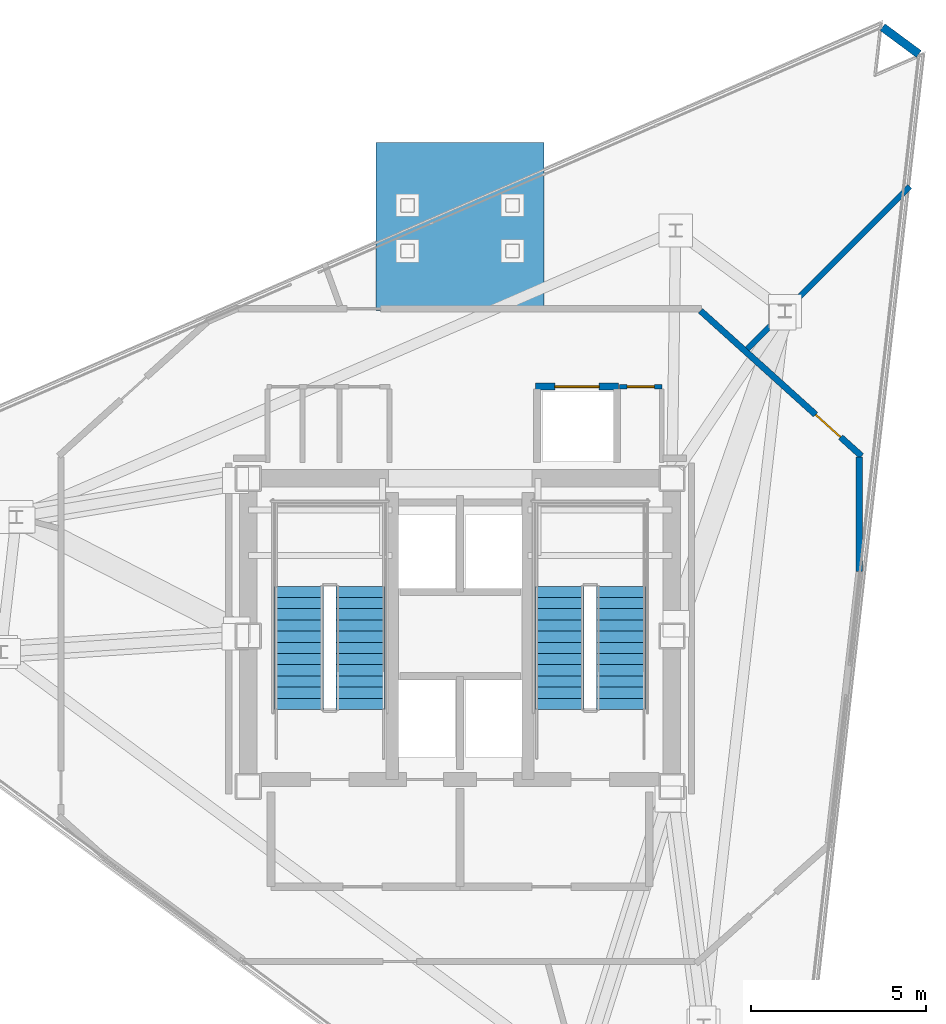
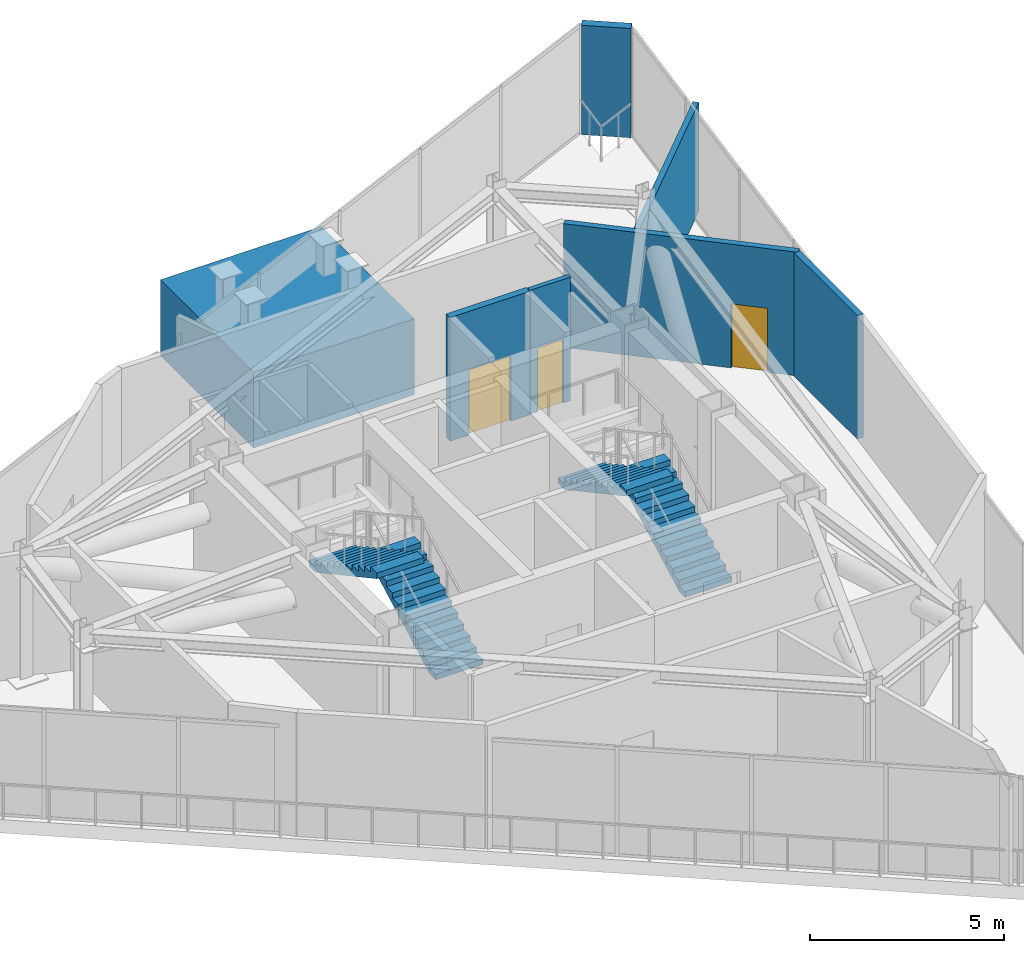
# One storey, part 9 of 11: 6 walls, 4 stair flights, 3 doors, 1 discrete accessory, 3 openings, 2 elements without a shape of their own.
"""IFC4 building model written with IfcOpenShell, lengths in metres."""

from ifc_helpers import new_model, si_unit, direction, frame, frame_2d, origin, origin_2d, place, context, subcontext, project, spatial, polyline, rectangle, outline, extrude, material, layer, layer_set, type_object, element, fill, aggregate, save


model = new_model("IFC4")

# Units and contexts
model_context = context("Model", 3, precision=1e-05, world=origin(), true_north=direction((0.0, 1.0)))
body_context = subcontext(model_context, "Body", "Model", "MODEL_VIEW")
ifc_project = project(units=[si_unit("LENGTHUNIT", "METRE"), si_unit("AREAUNIT", "SQUARE_METRE"), si_unit("VOLUMEUNIT", "CUBIC_METRE"), si_unit("PLANEANGLEUNIT", "RADIAN"), si_unit("MASSUNIT", "GRAM", prefix="KILO")], contexts=[model_context])

# Site, building, storey
site_placement = place(None, origin())
site = spatial("IfcSite", under=ifc_project, at=site_placement, CompositionType="ELEMENT")
building_placement = place(site_placement, origin())
building = spatial("IfcBuilding", under=site, at=building_placement, Name="Rocaltana Carrier Exchange", CompositionType="ELEMENT")
storey_placement = place(building_placement, frame((0.0, 0.0, 239.199951171875)))
storey = spatial("IfcBuildingStorey", under=building, at=storey_placement, Name="L76", CompositionType="ELEMENT", Elevation=239.199951171875)

# Wall
ifc_material_1 = material(Name="Double Acoustic Gypsum Partition", Category="gypsum")
ifc_layer_1 = layer(ifc_material_1, 0.159912109375)
ifc_layer_set_1 = layer_set([ifc_layer_1], Name="Double Acoustic Gypsum Partition")
wall_type_1 = type_object("IfcWallType", Name="Acoustic Studio Partition 160 EI60", PredefinedType="PARTITIONING", material=ifc_layer_set_1)
wall_1_placement = place(storey_placement, frame((8.197265625, 8.197265625, 0.0), z_axis=(0.0, 0.0, 1.0), x_axis=(0.707106781187, 0.707106781187, 0.0)))
element("IfcWall", 1, at=wall_1_placement, inside=storey, type_object=wall_type_1, Name="L76 Suite Divider Wall D2", PredefinedType="PARTITIONING", context=body_context, shape_type="SweptSolid", body=[
    extrude(rectangle(XDim=6.569091796875, YDim=0.159912109375, at=frame_2d((3.28466796875, 0.0))), origin(), (0.0, 0.0, 1.0), 3.43310546875),
])

# Wall, opening, door
ifc_material_2 = material(Name="Gypsum & Steel Stud Partition", Category="steel")
ifc_layer_2 = layer(ifc_material_2, 0.179931640625)
ifc_layer_set_2 = layer_set([ifc_layer_2], Name="Gypsum & Steel Stud Partition")
wall_type_2 = type_object("IfcWallType", Name="Corridor Fire Partition 180 EI60", PredefinedType="PARTITIONING", material=ifc_layer_set_2)
wall_2_placement = place(storey_placement, frame((6.86669921875, 9.289794921875, 0.0), z_axis=(0.0, 0.0, 1.0), x_axis=(0.742486327971, -0.669861219042, 0.0)))
wall_2 = element("IfcWall", 2, at=wall_2_placement, inside=storey, type_object=wall_type_2, Name="L76 Corridor Partition 3", PredefinedType="PARTITIONING", context=body_context, shape_type="SweptSolid", body=[
    extrude(rectangle(XDim=6.195556640625, YDim=0.179931640625, at=frame_2d((3.09765625, 0.0))), origin(), (0.0, 0.0, 1.0), 3.903076171875),
])
opening_1_placement = place(wall_2_placement, frame((4.429443359375, 0.0, 0.0)))
opening_1 = element("IfcOpeningElement", 3, at=opening_1_placement, cuts=wall_2, Name="Opening D-RM098", PredefinedType="OPENING", context=body_context, shape_type="SweptSolid", body=[
    extrude(rectangle(XDim=0.9599609375, YDim=2.02001953125, at=frame_2d((0.47998046875, 1.010009765625))), frame((0.0, 0.099853515625, 0.0), z_axis=(0.0, -1.0, 0.0), x_axis=(1.0, 0.0, 0.0)), (0.0, 0.0, 1.0), 0.199951171875),
])
ifc_material_3 = material(Name="Engineered Hardwood Timber", Category="wood")
door_type_1 = type_object("IfcDoorType", Name="Workspace Single Door 960x2020", OperationType="NOTDEFINED", PredefinedType="DOOR", material=ifc_material_3)
door_1_placement = place(opening_1_placement, origin())
door_1 = element("IfcDoor", 4, at=door_1_placement, inside=storey, type_object=door_type_1, Name="L76 Crown Electrical Substation Room Entrance Door", OperationType="SINGLE_SWING_LEFT", OverallHeight=2.02001953125, OverallWidth=0.9599609375, PredefinedType="DOOR", context=body_context, shape_type="SweptSolid", body=[
    extrude(rectangle(XDim=0.9599609375, YDim=2.02001953125, at=frame_2d((0.47998046875, 1.010009765625))), frame((0.0, 0.02490234375, 0.0), z_axis=(0.0, -1.0, 0.0), x_axis=(1.0, 0.0, 0.0)), (0.0, 0.0, 1.0), 0.050048828125),
])
fill(opening_1, door_1)

# Wall
wall_3_placement = place(storey_placement, frame((11.39990234375, 5.110107421875, 0.0), z_axis=(0.0, 0.0, 1.0), x_axis=(0.0, -1.0, 0.0)))
element("IfcWall", 5, at=wall_3_placement, inside=storey, type_object=wall_type_2, Name="L76 Corridor Partition 4", PredefinedType="PARTITIONING", context=body_context, shape_type="SweptSolid", body=[
    extrude(rectangle(XDim=3.26904296875, YDim=0.179931640625, at=frame_2d((1.634521484375, 0.0))), origin(), (0.0, 0.0, 1.0), 3.903076171875),
])

# Wall, opening, door
ifc_material_4 = material(Name="Reinforced Concrete Block C35/45", Category="concrete")
ifc_layer_3 = layer(ifc_material_4, 0.199951171875)
ifc_layer_set_3 = layer_set([ifc_layer_3], Name="Reinforced Concrete Block C35/45")
wall_type_3 = type_object("IfcWallType", Name="Lift Hoistway Enclosure Wall 200 EI120", PredefinedType="PARTITIONING", material=ifc_layer_set_3)
wall_4_placement = place(storey_placement, frame((2.14990234375, 7.1201171875, 0.0), z_axis=(0.0, 0.0, 1.0), x_axis=(1.0, 0.0, 0.0)))
wall_4 = element("IfcWall", 6, at=wall_4_placement, inside=storey, type_object=wall_type_3, Name="L76 Goods Lift Front Wall", PredefinedType="PARTITIONING", context=body_context, shape_type="SweptSolid", body=[
    extrude(rectangle(XDim=2.380126953125, YDim=0.199951171875, at=frame_2d((1.18994140625, 0.0))), origin(), (0.0, 0.0, 1.0), 3.903076171875),
])
opening_2_placement = place(wall_4_placement, frame((0.56005859375, 0.0, 0.0)))
opening_2 = element("IfcOpeningElement", 7, at=opening_2_placement, cuts=wall_4, Name="Opening LD-130", PredefinedType="OPENING", context=body_context, shape_type="SweptSolid", body=[
    extrude(rectangle(XDim=1.260009765625, YDim=2.06005859375, at=frame_2d((0.6298828125, 1.030029296875))), frame((0.0, 0.10986328125, 0.0), z_axis=(0.0, -1.0, 0.0), x_axis=(1.0, 0.0, 0.0)), (0.0, 0.0, 1.0), 0.219970703125),
])
ifc_material_5 = material(Name="Brushed Stainless Sliding Door Leaf", Category="steel")
door_type_2 = type_object("IfcDoorType", Name="Goods Lift Landing Sliding Door 1260x2060", OperationType="NOTDEFINED", PredefinedType="DOOR", material=ifc_material_5)
door_2_placement = place(opening_2_placement, origin())
door_2 = element("IfcDoor", 8, at=door_2_placement, inside=storey, type_object=door_type_2, Name="L76 Goods Lift GL-1 Landing Door", OperationType="SLIDING_TO_LEFT", OverallHeight=2.06005859375, OverallWidth=1.260009765625, PredefinedType="DOOR", context=body_context, shape_type="SweptSolid", body=[
    extrude(rectangle(XDim=1.260009765625, YDim=2.06005859375, at=frame_2d((0.6298828125, 1.030029296875))), frame((0.0, 0.02490234375, 0.0), z_axis=(0.0, -1.0, 0.0), x_axis=(1.0, 0.0, 0.0)), (0.0, 0.0, 1.0), 0.050048828125),
])
fill(opening_2, door_2)

# Wall
ifc_material_6 = material(Name="Precast sandstone concrete C40/50", Category="masonry")
ifc_layer_4 = layer(ifc_material_6, 0.239990234375)
ifc_layer_set_4 = layer_set([ifc_layer_4], Name="Precast sandstone concrete C40/50")
wall_type_4 = type_object("IfcWallType", Name="Terrace Stone Parapet Wall 240", PredefinedType="PARAPET", material=ifc_layer_set_4)
wall_5_placement = place(storey_placement, frame((13.10205078125, 16.623779296875, 0.0), z_axis=(0.0, 0.0, 1.0), x_axis=(-0.803872713746, 0.59480136188, 0.0)))
element("IfcWall", 9, at=wall_5_placement, inside=storey, type_object=wall_type_4, Name="L76 Crown Corner Mullion Wall C1", PredefinedType="PARAPET", context=body_context, shape_type="SweptSolid", body=[
    extrude(rectangle(XDim=1.2880859375, YDim=0.239990234375, at=frame_2d((0.64404296875, 0.0))), origin(), (0.0, 0.0, 1.0), 3.447998046875),
])

# Wall, opening, door
ifc_material_7 = material(Name="Moisture-Resistant Masonry C30/37", Category="masonry")
ifc_layer_5 = layer(ifc_material_7, 0.139892578125)
ifc_layer_set_5 = layer_set([ifc_layer_5], Name="Moisture-Resistant Masonry C30/37")
wall_type_5 = type_object("IfcWallType", Name="Wet-Area Sanitary Partition 140", PredefinedType="PARTITIONING", material=ifc_layer_set_5)
wall_6_placement = place(storey_placement, frame((4.56005859375, 7.1201171875, 0.0), z_axis=(0.0, 0.0, 1.0), x_axis=(1.0, 0.0, 0.0)))
wall_6 = element("IfcWall", 10, at=wall_6_placement, inside=storey, type_object=wall_type_5, Name="L76 Riser North Wall", PredefinedType="PARTITIONING", context=body_context, shape_type="SweptSolid", body=[
    extrude(rectangle(XDim=1.199951171875, YDim=0.139892578125, at=frame_2d((0.60009765625, 0.0))), origin(), (0.0, 0.0, 1.0), 3.903076171875),
])
opening_3_placement = place(wall_6_placement, frame((0.2099609375, 0.0, 0.0)))
opening_3 = element("IfcOpeningElement", 11, at=opening_3_placement, cuts=wall_6, Name="Opening D-RS082", PredefinedType="OPENING", context=body_context, shape_type="SweptSolid", body=[
    extrude(rectangle(XDim=0.780029296875, YDim=2.010009765625, at=frame_2d((0.39013671875, 1.0048828125))), frame((0.0, 0.079833984375, 0.0), z_axis=(0.0, -1.0, 0.0), x_axis=(1.0, 0.0, 0.0)), (0.0, 0.0, 1.0), 0.159912109375),
])
ifc_material_8 = material(Name="Hollow Metal Access Door Leaf", Category="steel")
door_type_3 = type_object("IfcDoorType", Name="Riser & Service Closet Door 780x2010", OperationType="NOTDEFINED", PredefinedType="DOOR", material=ifc_material_8)
door_3_placement = place(opening_3_placement, origin())
door_3 = element("IfcDoor", 12, at=door_3_placement, inside=storey, type_object=door_type_3, Name="L76 Signal Riser Closet Door", OperationType="SINGLE_SWING_RIGHT", OverallHeight=2.010009765625, OverallWidth=0.780029296875, PredefinedType="DOOR", context=body_context, shape_type="SweptSolid", body=[
    extrude(rectangle(XDim=0.780029296875, YDim=2.010009765625, at=frame_2d((0.39013671875, 1.0048828125))), frame((0.0, 0.02490234375, 0.0), z_axis=(0.0, -1.0, 0.0), x_axis=(1.0, 0.0, 0.0)), (0.0, 0.0, 1.0), 0.050048828125),
])
fill(opening_3, door_3)

# Stair, stair flights
ifc_material_9 = material(Name="Precast concrete C45/55", Category="concrete")
stair_type = type_object("IfcStairType", Name="Standard Dog-Leg Stair 160", PredefinedType="HALF_TURN_STAIR", material=ifc_material_9)
stair_1_placement = place(storey_placement, origin())
stair_1 = element("IfcStair", 13, at=stair_1_placement, inside=storey, type_object=stair_type, Name="L76 Core West Exit Stair ST-1", PredefinedType="HALF_TURN_STAIR")
ifc_material_10 = material(Name="Precast concrete C45/55", Category="concrete")
stair_flight_type = type_object("IfcStairFlightType", Name="Precast Stair Flight 160", PredefinedType="STRAIGHT", material=ifc_material_10)
stair_flight_1_placement = place(storey_placement, frame((-2.840087890625, -2.10009765625, 0.0), z_axis=(0.0, 0.0, 1.0), x_axis=(0.0, 1.0, 0.0)))
stair_flight_1 = element("IfcStairFlight", 14, at=stair_flight_1_placement, type_object=stair_flight_type, Name="ST-1 flight 1", NumberOfRisers=12, NumberOfTreads=11, PredefinedType="STRAIGHT", RiserHeight=0.173333333, TreadLength=0.32, context=body_context, shape_type="SweptSolid", body=[
    extrude(outline(polyline([(0.0, 0.0), (0.0, 0.17333984375), (0.320068359375, 0.17333984375), (0.320068359375, 0.3466796875), (0.639892578125, 0.3466796875), (0.639892578125, 0.52001953125), (0.9599609375, 0.52001953125), (0.9599609375, 0.693359375), (1.280029296875, 0.693359375), (1.280029296875, 0.86669921875), (1.60009765625, 0.86669921875), (1.60009765625, 1.0400390625), (1.919921875, 1.0400390625), (1.919921875, 1.21337890625), (2.239990234375, 1.21337890625), (2.239990234375, 1.38671875), (2.56005859375, 1.38671875), (2.56005859375, 1.56005859375), (2.8798828125, 1.56005859375), (2.8798828125, 1.7333984375), (3.199951171875, 1.7333984375), (3.199951171875, 1.90673828125), (3.52001953125, 1.90673828125), (3.52001953125, 2.080078125), (3.52001953125, 1.724853515625), (0.335693359375, 0.0), (0.0, 0.0)])), frame((0.0, 0.699951171875, 0.0), z_axis=(0.0, -1.0, 0.0), x_axis=(1.0, 0.0, 0.0)), (0.0, 0.0, 1.0), 1.39990234375),
])
stair_flight_2_placement = place(storey_placement, frame((-4.60009765625, 1.419921875, 2.080078125), z_axis=(0.0, 0.0, 1.0), x_axis=(0.0, -1.0, 0.0)))
stair_flight_2 = element("IfcStairFlight", 15, at=stair_flight_2_placement, type_object=stair_flight_type, Name="ST-1 flight 2", NumberOfRisers=12, NumberOfTreads=11, PredefinedType="STRAIGHT", RiserHeight=0.173333333, TreadLength=0.32, context=body_context, shape_type="SweptSolid", body=[
    extrude(outline(polyline([(0.0, 0.0), (0.0, 0.17333984375), (0.320068359375, 0.17333984375), (0.320068359375, 0.3466796875), (0.639892578125, 0.3466796875), (0.639892578125, 0.52001953125), (0.9599609375, 0.52001953125), (0.9599609375, 0.693359375), (1.280029296875, 0.693359375), (1.280029296875, 0.86669921875), (1.60009765625, 0.86669921875), (1.60009765625, 1.0400390625), (1.919921875, 1.0400390625), (1.919921875, 1.21337890625), (2.239990234375, 1.21337890625), (2.239990234375, 1.38671875), (2.56005859375, 1.38671875), (2.56005859375, 1.56005859375), (2.8798828125, 1.56005859375), (2.8798828125, 1.7333984375), (3.199951171875, 1.7333984375), (3.199951171875, 1.90673828125), (3.52001953125, 1.90673828125), (3.52001953125, 2.080078125), (3.52001953125, 1.724853515625), (0.335693359375, 0.0), (0.0, 0.0)])), frame((0.0, 0.699951171875, 0.0), z_axis=(0.0, -1.0, 0.0), x_axis=(1.0, 0.0, 0.0)), (0.0, 0.0, 1.0), 1.39990234375),
])
aggregate(stair_1, [stair_flight_1, stair_flight_2])

stair_2_placement = place(storey_placement, origin())
stair_2 = element("IfcStair", 16, at=stair_2_placement, inside=storey, type_object=stair_type, Name="L76 Core East Exit Stair ST-2", PredefinedType="HALF_TURN_STAIR")
stair_flight_3_placement = place(storey_placement, frame((4.60009765625, -2.10009765625, 0.0), z_axis=(0.0, 0.0, 1.0), x_axis=(0.0, 1.0, 0.0)))
stair_flight_3 = element("IfcStairFlight", 17, at=stair_flight_3_placement, type_object=stair_flight_type, Name="ST-2 flight 1", NumberOfRisers=12, NumberOfTreads=11, PredefinedType="STRAIGHT", RiserHeight=0.173333333, TreadLength=0.32, context=body_context, shape_type="SweptSolid", body=[
    extrude(outline(polyline([(0.0, 0.0), (0.0, 0.17333984375), (0.320068359375, 0.17333984375), (0.320068359375, 0.3466796875), (0.639892578125, 0.3466796875), (0.639892578125, 0.52001953125), (0.9599609375, 0.52001953125), (0.9599609375, 0.693359375), (1.280029296875, 0.693359375), (1.280029296875, 0.86669921875), (1.60009765625, 0.86669921875), (1.60009765625, 1.0400390625), (1.919921875, 1.0400390625), (1.919921875, 1.21337890625), (2.239990234375, 1.21337890625), (2.239990234375, 1.38671875), (2.56005859375, 1.38671875), (2.56005859375, 1.56005859375), (2.8798828125, 1.56005859375), (2.8798828125, 1.7333984375), (3.199951171875, 1.7333984375), (3.199951171875, 1.90673828125), (3.52001953125, 1.90673828125), (3.52001953125, 2.080078125), (3.52001953125, 1.724853515625), (0.335693359375, 0.0), (0.0, 0.0)])), frame((0.0, 0.699951171875, 0.0), z_axis=(0.0, -1.0, 0.0), x_axis=(1.0, 0.0, 0.0)), (0.0, 0.0, 1.0), 1.39990234375),
])
stair_flight_4_placement = place(storey_placement, frame((2.840087890625, 1.419921875, 2.080078125), z_axis=(0.0, 0.0, 1.0), x_axis=(0.0, -1.0, 0.0)))
stair_flight_4 = element("IfcStairFlight", 18, at=stair_flight_4_placement, type_object=stair_flight_type, Name="ST-2 flight 2", NumberOfRisers=12, NumberOfTreads=11, PredefinedType="STRAIGHT", RiserHeight=0.173333333, TreadLength=0.32, context=body_context, shape_type="SweptSolid", body=[
    extrude(outline(polyline([(0.0, 0.0), (0.0, 0.17333984375), (0.320068359375, 0.17333984375), (0.320068359375, 0.3466796875), (0.639892578125, 0.3466796875), (0.639892578125, 0.52001953125), (0.9599609375, 0.52001953125), (0.9599609375, 0.693359375), (1.280029296875, 0.693359375), (1.280029296875, 0.86669921875), (1.60009765625, 0.86669921875), (1.60009765625, 1.0400390625), (1.919921875, 1.0400390625), (1.919921875, 1.21337890625), (2.239990234375, 1.21337890625), (2.239990234375, 1.38671875), (2.56005859375, 1.38671875), (2.56005859375, 1.56005859375), (2.8798828125, 1.56005859375), (2.8798828125, 1.7333984375), (3.199951171875, 1.7333984375), (3.199951171875, 1.90673828125), (3.52001953125, 1.90673828125), (3.52001953125, 2.080078125), (3.52001953125, 1.724853515625), (0.335693359375, 0.0), (0.0, 0.0)])), frame((0.0, 0.699951171875, 0.0), z_axis=(0.0, -1.0, 0.0), x_axis=(1.0, 0.0, 0.0)), (0.0, 0.0, 1.0), 1.39990234375),
])
aggregate(stair_2, [stair_flight_3, stair_flight_4])

# Discrete accessory
ifc_material_11 = material(Name="Forged Steel S460", Category="steel")
ifc_layer_6 = layer(ifc_material_11, 2.39990234375)
ifc_layer_set_6 = layer_set([ifc_layer_6], Name="Forged Steel S460")
discrete_accessory_type = type_object("IfcDiscreteAccessoryType", Name="Pendulum Tuned Mass Damper 450t", PredefinedType="USERDEFINED", material=ifc_layer_set_6)
discrete_accessory_placement = place(storey_placement, frame((0.0, 11.699951171875, 0.0), z_axis=(0.0, 0.0, 1.0), x_axis=(1.0, 0.0, 0.0)))
element("IfcDiscreteAccessory", 19, at=discrete_accessory_placement, inside=storey, type_object=discrete_accessory_type, Name="Tuned Mass Damper TMD-01", ObjectType="TUNED MASS DAMPER", PredefinedType="USERDEFINED", context=body_context, shape_type="SweptSolid", body=[
    extrude(rectangle(XDim=4.800048828125, YDim=4.800048828125, at=origin_2d()), origin(), (0.0, 0.0, 1.0), 2.39990234375),
])

save(model, "model.ifc")
